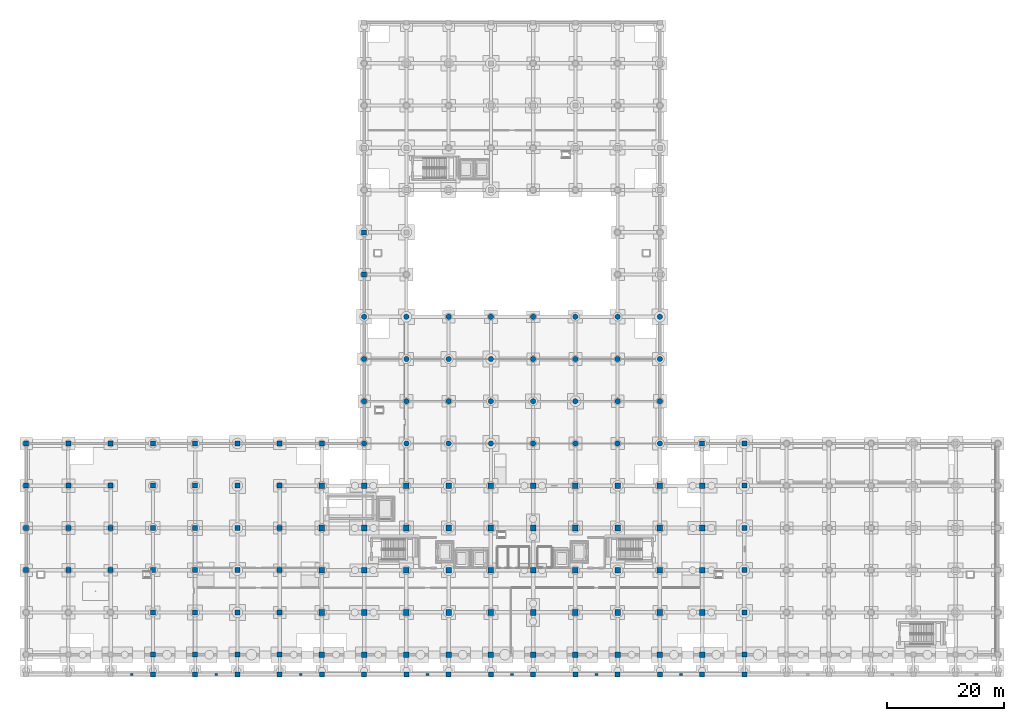
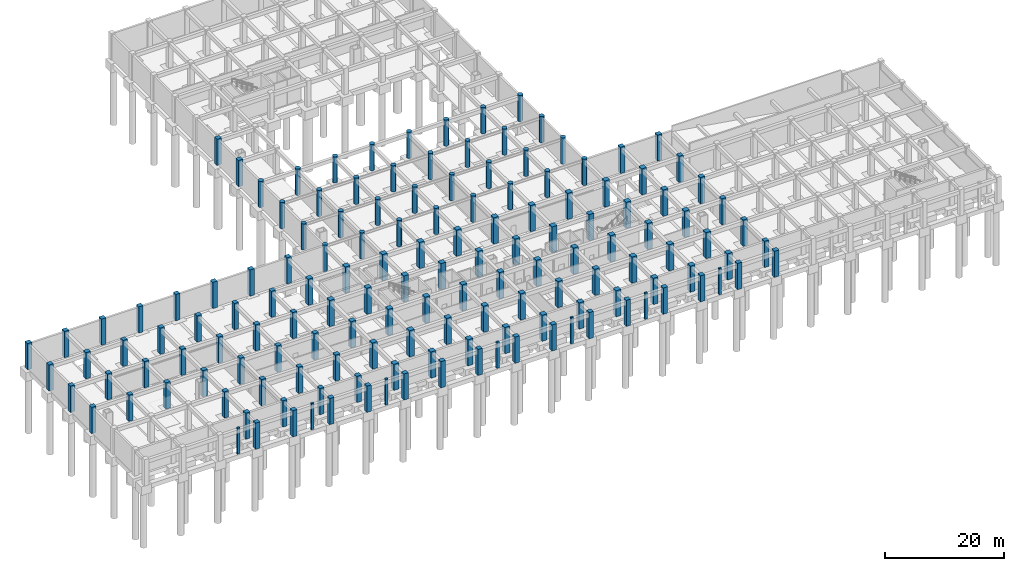
# One storey, part 6 of 26: 150 columns.
"""IFC4 building model written with IfcOpenShell, lengths in metres."""

from ifc_helpers import new_model, si_unit, direction, frame, origin, origin_2d, place, context, subcontext, project, spatial, rectangle, circle, extrude, material, material_profile, profile_set, type_object, element, save


model = new_model("IFC4")

# Units and contexts
model_context = context("Model", 3, precision=1e-05, world=origin(), true_north=direction((0.0, 1.0)))
body_context = subcontext(model_context, "Body", "Model", "MODEL_VIEW")
ifc_project = project(units=[si_unit("LENGTHUNIT", "METRE"), si_unit("AREAUNIT", "SQUARE_METRE"), si_unit("VOLUMEUNIT", "CUBIC_METRE"), si_unit("PLANEANGLEUNIT", "RADIAN"), si_unit("MASSUNIT", "GRAM", prefix="KILO")], contexts=[model_context])

# Site, building, storey
site_placement = place(None, origin())
site = spatial("IfcSite", under=ifc_project, at=site_placement, CompositionType="ELEMENT")
building_placement = place(site_placement, origin())
building = spatial("IfcBuilding", under=site, at=building_placement, Name="Kazehaya Institute of Natural Sciences", CompositionType="ELEMENT")
storey_placement = place(building_placement, frame((0.0, 0.0, -5.39990234375)))
storey = spatial("IfcBuildingStorey", under=building, at=storey_placement, Name="B1", CompositionType="ELEMENT", Elevation=-5.39990234375)

# Columns
ifc_material_1 = material(Name="Concrete Fc42", Category="concrete")
ifc_material_profile_1 = material_profile(ifc_material_1, circle(Radius=0.449951171875, at=origin_2d()), Name="RC-DIA900")
ifc_profile_set_1 = profile_set([ifc_material_profile_1], Name="Concrete Fc42")
column_type_1 = type_object("IfcColumnType", Name="COL-DIA900", PredefinedType="COLUMN", material=ifc_profile_set_1)
for number, where, z_axis, x_axis, name in (
    (1, (61.800048828125, 42.800048828125, 0.0), (0.0, 0.0, 1.0), (1.0, 0.0, 0.0), "B1 column COL-B1-0153"),
    (2, (69.0, 42.800048828125, 0.0), (0.0, 0.0, 1.0), (1.0, 0.0, 0.0), "B1 column COL-B1-0154"),
    (3, (76.199951171875, 42.800048828125, 0.0), (0.0, 0.0, 1.0), (1.0, 0.0, 0.0), "B1 column COL-B1-0155"),
    (4, (83.39990234375, 42.800048828125, 0.0), (0.0, 0.0, 1.0), (1.0, 0.0, 0.0), "B1 column COL-B1-0156"),
    (5, (90.60009765625, 42.800048828125, 0.0), (0.0, 0.0, 1.0), (1.0, 0.0, 0.0), "B1 column COL-B1-0157"),
    (6, (97.800048828125, 42.800048828125, 0.0), (0.0, 0.0, 1.0), (1.0, 0.0, 0.0), "B1 column COL-B1-0158"),
    (7, (105.0, 42.800048828125, 0.0), (0.0, 0.0, 1.0), (1.0, 0.0, 0.0), "B1 column COL-B1-0159"),
    (8, (112.199951171875, 42.800048828125, 0.0), (0.0, 0.0, 1.0), (1.0, 0.0, 0.0), "B1 column COL-B1-0160"),
    (9, (61.800048828125, 50.0, 0.0), (0.0, 0.0, 1.0), (1.0, 0.0, 0.0), "B1 column COL-B1-0169"),
    (10, (69.0, 50.0, 0.0), (0.0, 0.0, 1.0), (1.0, 0.0, 0.0), "B1 column COL-B1-0170"),
    (11, (76.199951171875, 50.0, 0.0), (0.0, 0.0, 1.0), (1.0, 0.0, 0.0), "B1 column COL-B1-0171"),
    (12, (83.39990234375, 50.0, 0.0), (0.0, 0.0, 1.0), (1.0, 0.0, 0.0), "B1 column COL-B1-0172"),
    (13, (90.60009765625, 50.0, 0.0), (0.0, 0.0, 1.0), (1.0, 0.0, 0.0), "B1 column COL-B1-0173"),
    (14, (97.800048828125, 50.0, 0.0), (0.0, 0.0, 1.0), (1.0, 0.0, 0.0), "B1 column COL-B1-0174"),
    (15, (105.0, 50.0, 0.0), (0.0, 0.0, 1.0), (1.0, 0.0, 0.0), "B1 column COL-B1-0175"),
    (16, (112.199951171875, 50.0, 0.0), (0.0, 0.0, 1.0), (1.0, 0.0, 0.0), "B1 column COL-B1-0176"),
    (17, (61.800048828125, 57.199951171875, 0.0), (0.0, 0.0, 1.0), (1.0, 0.0, 0.0), "B1 column COL-B1-0177"),
    (18, (69.0, 57.199951171875, 0.0), (0.0, 0.0, 1.0), (1.0, 0.0, 0.0), "B1 column COL-B1-0178"),
    (19, (76.199951171875, 57.199951171875, 0.0), (0.0, 0.0, 1.0), (1.0, 0.0, 0.0), "B1 column COL-B1-0179"),
    (20, (83.39990234375, 57.199951171875, 0.0), (0.0, 0.0, 1.0), (1.0, 0.0, 0.0), "B1 column COL-B1-0180"),
    (21, (90.60009765625, 57.199951171875, 0.0), (0.0, 0.0, 1.0), (1.0, 0.0, 0.0), "B1 column COL-B1-0181"),
    (22, (97.800048828125, 57.199951171875, 0.0), (0.0, 0.0, 1.0), (1.0, 0.0, 0.0), "B1 column COL-B1-0182"),
    (23, (105.0, 57.199951171875, 0.0), (0.0, 0.0, 1.0), (1.0, 0.0, 0.0), "B1 column COL-B1-0183"),
    (24, (112.199951171875, 57.199951171875, 0.0), (0.0, 0.0, 1.0), (1.0, 0.0, 0.0), "B1 column COL-B1-0184"),
    (25, (61.800048828125, 64.39990234375, 0.0), (0.0, 0.0, 1.0), (1.0, 0.0, 0.0), "B1 column COL-B1-0185"),
    (26, (69.0, 64.39990234375, 0.0), (0.0, 0.0, 1.0), (1.0, 0.0, 0.0), "B1 column COL-B1-0186"),
    (27, (76.199951171875, 64.39990234375, 0.0), (0.0, 0.0, 1.0), (1.0, 0.0, 0.0), "B1 column COL-B1-0187"),
    (28, (83.39990234375, 64.39990234375, 0.0), (0.0, 0.0, 1.0), (1.0, 0.0, 0.0), "B1 column COL-B1-0188"),
    (29, (90.60009765625, 64.39990234375, 0.0), (0.0, 0.0, 1.0), (1.0, 0.0, 0.0), "B1 column COL-B1-0189"),
    (30, (97.800048828125, 64.39990234375, 0.0), (0.0, 0.0, 1.0), (1.0, 0.0, 0.0), "B1 column COL-B1-0190"),
    (31, (105.0, 64.39990234375, 0.0), (0.0, 0.0, 1.0), (1.0, 0.0, 0.0), "B1 column COL-B1-0191"),
    (32, (112.199951171875, 64.39990234375, 0.0), (0.0, 0.0, 1.0), (1.0, 0.0, 0.0), "B1 column COL-B1-0192"),
):
    element("IfcColumn", number, at=place(storey_placement, frame(where, z_axis=z_axis, x_axis=x_axis)), inside=storey, type_object=column_type_1, Name=name, PredefinedType="COLUMN", context=body_context, shape_type="SweptSolid", body=[
        extrude(circle(Radius=0.449951171875, at=origin_2d()), origin(), (0.0, 0.0, 1.0), 5.39990234375),
    ])
ifc_material_profile_2 = material_profile(ifc_material_1, rectangle(XDim=0.85009765625, YDim=0.85009765625, at=origin_2d()), Name="RC-850x850")
ifc_profile_set_2 = profile_set([ifc_material_profile_2], Name="Concrete Fc42")
column_type_2 = type_object("IfcColumnType", Name="COL-RC850", PredefinedType="COLUMN", material=ifc_profile_set_2)
for number, where, z_axis, x_axis, name in (
    (33, (25.800048828125, 3.449951171875, 0.0), (0.0, 0.0, 1.0), (1.0, 0.0, 0.0), "B1 column COL-B1-0004"),
    (34, (33.0, 3.449951171875, 0.0), (0.0, 0.0, 1.0), (1.0, 0.0, 0.0), "B1 column COL-B1-0005"),
    (35, (40.199951171875, 3.449951171875, 0.0), (0.0, 0.0, 1.0), (1.0, 0.0, 0.0), "B1 column COL-B1-0006"),
    (36, (47.39990234375, 3.449951171875, 0.0), (0.0, 0.0, 1.0), (1.0, 0.0, 0.0), "B1 column COL-B1-0007"),
    (37, (54.60009765625, 3.449951171875, 0.0), (0.0, 0.0, 1.0), (1.0, 0.0, 0.0), "B1 column COL-B1-0008"),
    (38, (61.800048828125, 3.449951171875, 0.0), (0.0, 0.0, 1.0), (1.0, 0.0, 0.0), "B1 column COL-B1-0009"),
    (39, (69.0, 3.449951171875, 0.0), (0.0, 0.0, 1.0), (1.0, 0.0, 0.0), "B1 column COL-B1-0010"),
    (40, (76.199951171875, 3.449951171875, 0.0), (0.0, 0.0, 1.0), (1.0, 0.0, 0.0), "B1 column COL-B1-0011"),
    (41, (83.39990234375, 3.449951171875, 0.0), (0.0, 0.0, 1.0), (1.0, 0.0, 0.0), "B1 column COL-B1-0012"),
    (42, (90.60009765625, 3.449951171875, 0.0), (0.0, 0.0, 1.0), (1.0, 0.0, 0.0), "B1 column COL-B1-0013"),
    (43, (97.800048828125, 3.449951171875, 0.0), (0.0, 0.0, 1.0), (1.0, 0.0, 0.0), "B1 column COL-B1-0014"),
    (44, (105.0, 3.449951171875, 0.0), (0.0, 0.0, 1.0), (1.0, 0.0, 0.0), "B1 column COL-B1-0015"),
    (45, (112.199951171875, 3.449951171875, 0.0), (0.0, 0.0, 1.0), (1.0, 0.0, 0.0), "B1 column COL-B1-0016"),
    (46, (119.39990234375, 3.449951171875, 0.0), (0.0, 0.0, 1.0), (1.0, 0.0, 0.0), "B1 column COL-B1-0017"),
    (47, (126.60009765625, 3.449951171875, 0.0), (0.0, 0.0, 1.0), (1.0, 0.0, 0.0), "B1 column COL-B1-0018"),
    (48, (25.800048828125, 6.800048828125, 0.0), (0.0, 0.0, 1.0), (1.0, 0.0, 0.0), "B1 column COL-B1-0028"),
    (49, (33.0, 6.800048828125, 0.0), (0.0, 0.0, 1.0), (1.0, 0.0, 0.0), "B1 column COL-B1-0029"),
    (50, (40.199951171875, 6.800048828125, 0.0), (0.0, 0.0, 1.0), (1.0, 0.0, 0.0), "B1 column COL-B1-0030"),
    (51, (47.39990234375, 6.800048828125, 0.0), (0.0, 0.0, 1.0), (1.0, 0.0, 0.0), "B1 column COL-B1-0031"),
    (52, (126.60009765625, 6.800048828125, 0.0), (0.0, 0.0, 1.0), (1.0, 0.0, 0.0), "B1 column COL-B1-0042"),
    (53, (25.800048828125, 14.0, 0.0), (0.0, 0.0, 1.0), (1.0, 0.0, 0.0), "B1 column COL-B1-0052"),
    (54, (33.0, 14.0, 0.0), (0.0, 0.0, 1.0), (1.0, 0.0, 0.0), "B1 column COL-B1-0053"),
    (55, (40.199951171875, 14.0, 0.0), (0.0, 0.0, 1.0), (1.0, 0.0, 0.0), "B1 column COL-B1-0054"),
    (56, (47.39990234375, 14.0, 0.0), (0.0, 0.0, 1.0), (1.0, 0.0, 0.0), "B1 column COL-B1-0055"),
    (57, (126.60009765625, 14.0, 0.0), (0.0, 0.0, 1.0), (1.0, 0.0, 0.0), "B1 column COL-B1-0066"),
    (58, (4.199951171875, 21.199951171875, 0.0), (0.0, 0.0, 1.0), (1.0, 0.0, 0.0), "B1 column COL-B1-0073"),
    (59, (11.39990234375, 21.199951171875, 0.0), (0.0, 0.0, 1.0), (1.0, 0.0, 0.0), "B1 column COL-B1-0074"),
    (60, (18.60009765625, 21.199951171875, 0.0), (0.0, 0.0, 1.0), (1.0, 0.0, 0.0), "B1 column COL-B1-0075"),
    (61, (25.800048828125, 21.199951171875, 0.0), (0.0, 0.0, 1.0), (1.0, 0.0, 0.0), "B1 column COL-B1-0076"),
    (62, (33.0, 21.199951171875, 0.0), (0.0, 0.0, 1.0), (1.0, 0.0, 0.0), "B1 column COL-B1-0077"),
    (63, (40.199951171875, 21.199951171875, 0.0), (0.0, 0.0, 1.0), (1.0, 0.0, 0.0), "B1 column COL-B1-0078"),
    (64, (47.39990234375, 21.199951171875, 0.0), (0.0, 0.0, 1.0), (1.0, 0.0, 0.0), "B1 column COL-B1-0079"),
    (65, (126.60009765625, 21.199951171875, 0.0), (0.0, 0.0, 1.0), (1.0, 0.0, 0.0), "B1 column COL-B1-0090"),
    (66, (4.199951171875, 28.39990234375, 0.0), (0.0, 0.0, 1.0), (1.0, 0.0, 0.0), "B1 column COL-B1-0097"),
    (67, (11.39990234375, 28.39990234375, 0.0), (0.0, 0.0, 1.0), (1.0, 0.0, 0.0), "B1 column COL-B1-0098"),
    (68, (18.60009765625, 28.39990234375, 0.0), (0.0, 0.0, 1.0), (1.0, 0.0, 0.0), "B1 column COL-B1-0099"),
    (69, (25.800048828125, 28.39990234375, 0.0), (0.0, 0.0, 1.0), (1.0, 0.0, 0.0), "B1 column COL-B1-0100"),
    (70, (33.0, 28.39990234375, 0.0), (0.0, 0.0, 1.0), (1.0, 0.0, 0.0), "B1 column COL-B1-0101"),
    (71, (40.199951171875, 28.39990234375, 0.0), (0.0, 0.0, 1.0), (1.0, 0.0, 0.0), "B1 column COL-B1-0102"),
    (72, (47.39990234375, 28.39990234375, 0.0), (0.0, 0.0, 1.0), (1.0, 0.0, 0.0), "B1 column COL-B1-0103"),
    (73, (126.60009765625, 28.39990234375, 0.0), (0.0, 0.0, 1.0), (1.0, 0.0, 0.0), "B1 column COL-B1-0114"),
    (74, (4.199951171875, 35.60009765625, 0.0), (0.0, 0.0, 1.0), (1.0, 0.0, 0.0), "B1 column COL-B1-0121"),
    (75, (11.39990234375, 35.60009765625, 0.0), (0.0, 0.0, 1.0), (1.0, 0.0, 0.0), "B1 column COL-B1-0122"),
    (76, (18.60009765625, 35.60009765625, 0.0), (0.0, 0.0, 1.0), (1.0, 0.0, 0.0), "B1 column COL-B1-0123"),
    (77, (25.800048828125, 35.60009765625, 0.0), (0.0, 0.0, 1.0), (1.0, 0.0, 0.0), "B1 column COL-B1-0124"),
    (78, (33.0, 35.60009765625, 0.0), (0.0, 0.0, 1.0), (1.0, 0.0, 0.0), "B1 column COL-B1-0125"),
    (79, (40.199951171875, 35.60009765625, 0.0), (0.0, 0.0, 1.0), (1.0, 0.0, 0.0), "B1 column COL-B1-0126"),
    (80, (47.39990234375, 35.60009765625, 0.0), (0.0, 0.0, 1.0), (1.0, 0.0, 0.0), "B1 column COL-B1-0127"),
    (81, (126.60009765625, 35.60009765625, 0.0), (0.0, 0.0, 1.0), (1.0, 0.0, 0.0), "B1 column COL-B1-0138"),
    (82, (4.199951171875, 42.800048828125, 0.0), (0.0, 0.0, 1.0), (1.0, 0.0, 0.0), "B1 column COL-B1-0145"),
    (83, (11.39990234375, 42.800048828125, 0.0), (0.0, 0.0, 1.0), (1.0, 0.0, 0.0), "B1 column COL-B1-0146"),
    (84, (18.60009765625, 42.800048828125, 0.0), (0.0, 0.0, 1.0), (1.0, 0.0, 0.0), "B1 column COL-B1-0147"),
    (85, (25.800048828125, 42.800048828125, 0.0), (0.0, 0.0, 1.0), (1.0, 0.0, 0.0), "B1 column COL-B1-0148"),
    (86, (33.0, 42.800048828125, 0.0), (0.0, 0.0, 1.0), (1.0, 0.0, 0.0), "B1 column COL-B1-0149"),
    (87, (40.199951171875, 42.800048828125, 0.0), (0.0, 0.0, 1.0), (1.0, 0.0, 0.0), "B1 column COL-B1-0150"),
    (88, (47.39990234375, 42.800048828125, 0.0), (0.0, 0.0, 1.0), (1.0, 0.0, 0.0), "B1 column COL-B1-0151"),
    (89, (54.60009765625, 42.800048828125, 0.0), (0.0, 0.0, 1.0), (1.0, 0.0, 0.0), "B1 column COL-B1-0152"),
    (90, (119.39990234375, 42.800048828125, 0.0), (0.0, 0.0, 1.0), (1.0, 0.0, 0.0), "B1 column COL-B1-0161"),
    (91, (126.60009765625, 42.800048828125, 0.0), (0.0, 0.0, 1.0), (1.0, 0.0, 0.0), "B1 column COL-B1-0162"),
    (92, (61.800048828125, 71.60009765625, 0.0), (0.0, 0.0, 1.0), (1.0, 0.0, 0.0), "B1 column COL-B1-0193"),
    (93, (61.800048828125, 78.800048828125, 0.0), (0.0, 0.0, 1.0), (1.0, 0.0, 0.0), "B1 column COL-B1-0197"),
):
    element("IfcColumn", number, at=place(storey_placement, frame(where, z_axis=z_axis, x_axis=x_axis)), inside=storey, type_object=column_type_2, Name=name, PredefinedType="COLUMN", context=body_context, shape_type="SweptSolid", body=[
        extrude(rectangle(XDim=0.85009765625, YDim=0.85009765625, at=origin_2d()), origin(), (0.0, 0.0, 1.0), 5.39990234375),
    ])
ifc_material_profile_3 = material_profile(ifc_material_1, rectangle(XDim=0.949951171875, YDim=0.949951171875, at=origin_2d()), Name="RC-950x950")
ifc_profile_set_3 = profile_set([ifc_material_profile_3], Name="Concrete Fc42")
column_type_3 = type_object("IfcColumnType", Name="COL-RC950", PredefinedType="COLUMN", material=ifc_profile_set_3)
for number, where, z_axis, x_axis, name in (
    (94, (54.60009765625, 6.800048828125, 0.0), (0.0, 0.0, 1.0), (1.0, 0.0, 0.0), "B1 column COL-B1-0032"),
    (95, (61.800048828125, 6.800048828125, 0.0), (0.0, 0.0, 1.0), (1.0, 0.0, 0.0), "B1 column COL-B1-0033"),
    (96, (69.0, 6.800048828125, 0.0), (0.0, 0.0, 1.0), (1.0, 0.0, 0.0), "B1 column COL-B1-0034"),
    (97, (76.199951171875, 6.800048828125, 0.0), (0.0, 0.0, 1.0), (1.0, 0.0, 0.0), "B1 column COL-B1-0035"),
    (98, (83.39990234375, 6.800048828125, 0.0), (0.0, 0.0, 1.0), (1.0, 0.0, 0.0), "B1 column COL-B1-0036"),
    (99, (90.60009765625, 6.800048828125, 0.0), (0.0, 0.0, 1.0), (1.0, 0.0, 0.0), "B1 column COL-B1-0037"),
    (100, (97.800048828125, 6.800048828125, 0.0), (0.0, 0.0, 1.0), (1.0, 0.0, 0.0), "B1 column COL-B1-0038"),
    (101, (105.0, 6.800048828125, 0.0), (0.0, 0.0, 1.0), (1.0, 0.0, 0.0), "B1 column COL-B1-0039"),
    (102, (112.199951171875, 6.800048828125, 0.0), (0.0, 0.0, 1.0), (1.0, 0.0, 0.0), "B1 column COL-B1-0040"),
    (103, (119.39990234375, 6.800048828125, 0.0), (0.0, 0.0, 1.0), (1.0, 0.0, 0.0), "B1 column COL-B1-0041"),
    (104, (54.60009765625, 14.0, 0.0), (0.0, 0.0, 1.0), (1.0, 0.0, 0.0), "B1 column COL-B1-0056"),
    (105, (61.800048828125, 14.0, 0.0), (0.0, 0.0, 1.0), (1.0, 0.0, 0.0), "B1 column COL-B1-0057"),
    (106, (69.0, 14.0, 0.0), (0.0, 0.0, 1.0), (1.0, 0.0, 0.0), "B1 column COL-B1-0058"),
    (107, (76.199951171875, 14.0, 0.0), (0.0, 0.0, 1.0), (1.0, 0.0, 0.0), "B1 column COL-B1-0059"),
    (108, (83.39990234375, 14.0, 0.0), (0.0, 0.0, 1.0), (1.0, 0.0, 0.0), "B1 column COL-B1-0060"),
    (109, (90.60009765625, 14.0, 0.0), (0.0, 0.0, 1.0), (1.0, 0.0, 0.0), "B1 column COL-B1-0061"),
    (110, (97.800048828125, 14.0, 0.0), (0.0, 0.0, 1.0), (1.0, 0.0, 0.0), "B1 column COL-B1-0062"),
    (111, (105.0, 14.0, 0.0), (0.0, 0.0, 1.0), (1.0, 0.0, 0.0), "B1 column COL-B1-0063"),
    (112, (112.199951171875, 14.0, 0.0), (0.0, 0.0, 1.0), (1.0, 0.0, 0.0), "B1 column COL-B1-0064"),
    (113, (119.39990234375, 14.0, 0.0), (0.0, 0.0, 1.0), (1.0, 0.0, 0.0), "B1 column COL-B1-0065"),
    (114, (54.60009765625, 21.199951171875, 0.0), (0.0, 0.0, 1.0), (1.0, 0.0, 0.0), "B1 column COL-B1-0080"),
    (115, (61.800048828125, 21.199951171875, 0.0), (0.0, 0.0, 1.0), (1.0, 0.0, 0.0), "B1 column COL-B1-0081"),
    (116, (69.0, 21.199951171875, 0.0), (0.0, 0.0, 1.0), (1.0, 0.0, 0.0), "B1 column COL-B1-0082"),
    (117, (76.199951171875, 21.199951171875, 0.0), (0.0, 0.0, 1.0), (1.0, 0.0, 0.0), "B1 column COL-B1-0083"),
    (118, (83.39990234375, 21.199951171875, 0.0), (0.0, 0.0, 1.0), (1.0, 0.0, 0.0), "B1 column COL-B1-0084"),
    (119, (90.60009765625, 21.199951171875, 0.0), (0.0, 0.0, 1.0), (1.0, 0.0, 0.0), "B1 column COL-B1-0085"),
    (120, (97.800048828125, 21.199951171875, 0.0), (0.0, 0.0, 1.0), (1.0, 0.0, 0.0), "B1 column COL-B1-0086"),
    (121, (105.0, 21.199951171875, 0.0), (0.0, 0.0, 1.0), (1.0, 0.0, 0.0), "B1 column COL-B1-0087"),
    (122, (112.199951171875, 21.199951171875, 0.0), (0.0, 0.0, 1.0), (1.0, 0.0, 0.0), "B1 column COL-B1-0088"),
    (123, (119.39990234375, 21.199951171875, 0.0), (0.0, 0.0, 1.0), (1.0, 0.0, 0.0), "B1 column COL-B1-0089"),
    (124, (54.60009765625, 28.39990234375, 0.0), (0.0, 0.0, 1.0), (1.0, 0.0, 0.0), "B1 column COL-B1-0104"),
    (125, (61.800048828125, 28.39990234375, 0.0), (0.0, 0.0, 1.0), (1.0, 0.0, 0.0), "B1 column COL-B1-0105"),
    (126, (69.0, 28.39990234375, 0.0), (0.0, 0.0, 1.0), (1.0, 0.0, 0.0), "B1 column COL-B1-0106"),
    (127, (76.199951171875, 28.39990234375, 0.0), (0.0, 0.0, 1.0), (1.0, 0.0, 0.0), "B1 column COL-B1-0107"),
    (128, (83.39990234375, 28.39990234375, 0.0), (0.0, 0.0, 1.0), (1.0, 0.0, 0.0), "B1 column COL-B1-0108"),
    (129, (90.60009765625, 28.39990234375, 0.0), (0.0, 0.0, 1.0), (1.0, 0.0, 0.0), "B1 column COL-B1-0109"),
    (130, (97.800048828125, 28.39990234375, 0.0), (0.0, 0.0, 1.0), (1.0, 0.0, 0.0), "B1 column COL-B1-0110"),
    (131, (105.0, 28.39990234375, 0.0), (0.0, 0.0, 1.0), (1.0, 0.0, 0.0), "B1 column COL-B1-0111"),
    (132, (112.199951171875, 28.39990234375, 0.0), (0.0, 0.0, 1.0), (1.0, 0.0, 0.0), "B1 column COL-B1-0112"),
    (133, (119.39990234375, 28.39990234375, 0.0), (0.0, 0.0, 1.0), (1.0, 0.0, 0.0), "B1 column COL-B1-0113"),
    (134, (54.60009765625, 35.60009765625, 0.0), (0.0, 0.0, 1.0), (1.0, 0.0, 0.0), "B1 column COL-B1-0128"),
    (135, (61.800048828125, 35.60009765625, 0.0), (0.0, 0.0, 1.0), (1.0, 0.0, 0.0), "B1 column COL-B1-0129"),
    (136, (69.0, 35.60009765625, 0.0), (0.0, 0.0, 1.0), (1.0, 0.0, 0.0), "B1 column COL-B1-0130"),
    (137, (76.199951171875, 35.60009765625, 0.0), (0.0, 0.0, 1.0), (1.0, 0.0, 0.0), "B1 column COL-B1-0131"),
    (138, (83.39990234375, 35.60009765625, 0.0), (0.0, 0.0, 1.0), (1.0, 0.0, 0.0), "B1 column COL-B1-0132"),
    (139, (90.60009765625, 35.60009765625, 0.0), (0.0, 0.0, 1.0), (1.0, 0.0, 0.0), "B1 column COL-B1-0133"),
    (140, (97.800048828125, 35.60009765625, 0.0), (0.0, 0.0, 1.0), (1.0, 0.0, 0.0), "B1 column COL-B1-0134"),
    (141, (105.0, 35.60009765625, 0.0), (0.0, 0.0, 1.0), (1.0, 0.0, 0.0), "B1 column COL-B1-0135"),
    (142, (112.199951171875, 35.60009765625, 0.0), (0.0, 0.0, 1.0), (1.0, 0.0, 0.0), "B1 column COL-B1-0136"),
    (143, (119.39990234375, 35.60009765625, 0.0), (0.0, 0.0, 1.0), (1.0, 0.0, 0.0), "B1 column COL-B1-0137"),
):
    element("IfcColumn", number, at=place(storey_placement, frame(where, z_axis=z_axis, x_axis=x_axis)), inside=storey, type_object=column_type_3, Name=name, PredefinedType="COLUMN", context=body_context, shape_type="SweptSolid", body=[
        extrude(rectangle(XDim=0.949951171875, YDim=0.949951171875, at=origin_2d()), origin(), (0.0, 0.0, 1.0), 5.39990234375),
    ])
ifc_material_2 = material(Name="Precast concrete Fc36", Category="concrete")
ifc_material_profile_4 = material_profile(ifc_material_2, rectangle(XDim=0.5, YDim=0.35009765625, at=origin_2d()), Name="RC-PIL-500x350")
ifc_profile_set_4 = profile_set([ifc_material_profile_4], Name="Precast concrete Fc36")
column_type_4 = type_object("IfcColumnType", Name="PIL-500x350", PredefinedType="PILASTER", material=ifc_profile_set_4)
for number, where, z_axis, x_axis, name in (
    (144, (22.199951171875, 3.449951171875, 0.0), (0.0, 0.0, 1.0), (1.0, 0.0, 0.0), "B1 Neoclassical colonnade pilaster PIL-B1-001"),
    (145, (36.60009765625, 3.449951171875, 0.0), (0.0, 0.0, 1.0), (1.0, 0.0, 0.0), "B1 Neoclassical colonnade pilaster PIL-B1-002"),
    (146, (51.0, 3.449951171875, 0.0), (0.0, 0.0, 1.0), (1.0, 0.0, 0.0), "B1 Neoclassical colonnade pilaster PIL-B1-003"),
    (147, (72.60009765625, 3.449951171875, 0.0), (0.0, 0.0, 1.0), (1.0, 0.0, 0.0), "B1 Neoclassical colonnade pilaster PIL-B1-004"),
    (148, (87.0, 3.449951171875, 0.0), (0.0, 0.0, 1.0), (1.0, 0.0, 0.0), "B1 Neoclassical colonnade pilaster PIL-B1-005"),
    (149, (101.39990234375, 3.449951171875, 0.0), (0.0, 0.0, 1.0), (1.0, 0.0, 0.0), "B1 Neoclassical colonnade pilaster PIL-B1-006"),
    (150, (115.800048828125, 3.449951171875, 0.0), (0.0, 0.0, 1.0), (1.0, 0.0, 0.0), "B1 Neoclassical colonnade pilaster PIL-B1-007"),
):
    element("IfcColumn", number, at=place(storey_placement, frame(where, z_axis=z_axis, x_axis=x_axis)), inside=storey, type_object=column_type_4, Name=name, PredefinedType="PILASTER", context=body_context, shape_type="SweptSolid", body=[
        extrude(rectangle(XDim=0.5, YDim=0.35009765625, at=origin_2d()), origin(), (0.0, 0.0, 1.0), 5.39990234375),
    ])

save(model, "model.ifc")
